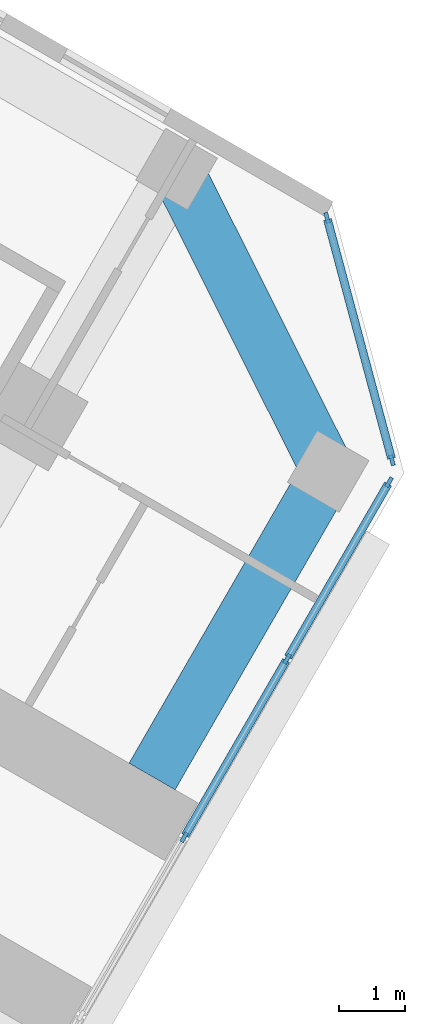
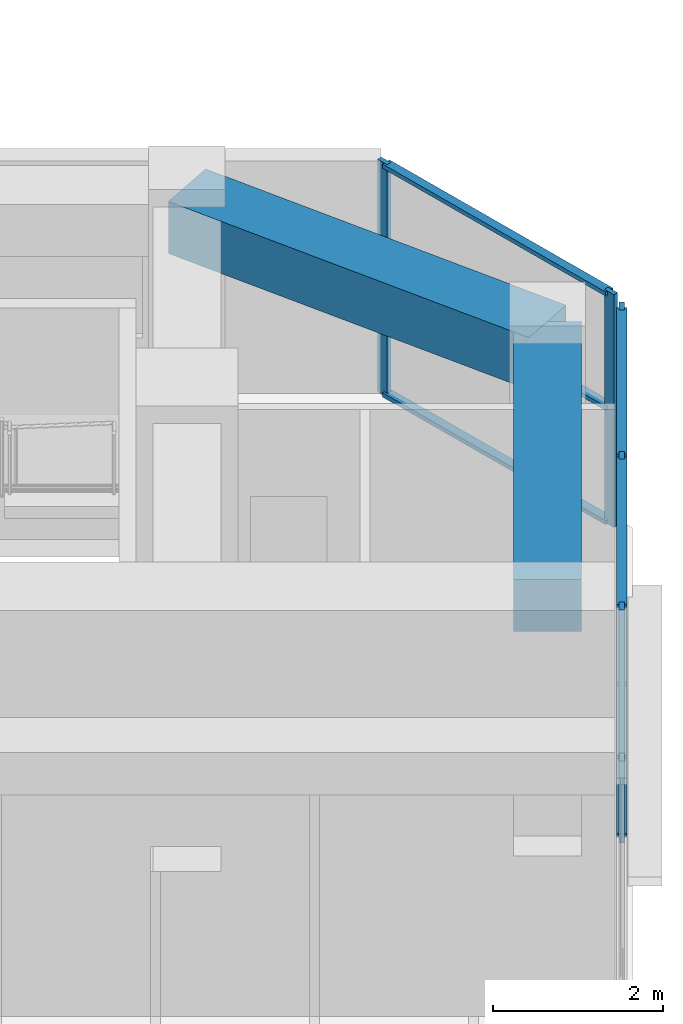
# One storey, part 8 of 22: 12 members, 2 beams, 2 elements without a shape of their own.
"""IFC4 building model written with IfcOpenShell, lengths in metres."""

from ifc_helpers import new_model, si_unit, direction, frame, origin, origin_2d, place, context, subcontext, project, spatial, rectangle, extrude, material, material_profile, profile_set, type_object, element, aggregate, save


model = new_model("IFC4")

# Units and contexts
model_context = context("Model", 3, precision=1e-05, world=origin(), true_north=direction((0.0, 1.0)))
body_context = subcontext(model_context, "Body", "Model", "MODEL_VIEW")
ifc_project = project(units=[si_unit("LENGTHUNIT", "METRE"), si_unit("AREAUNIT", "SQUARE_METRE"), si_unit("VOLUMEUNIT", "CUBIC_METRE"), si_unit("PLANEANGLEUNIT", "RADIAN"), si_unit("MASSUNIT", "GRAM", prefix="KILO")], contexts=[model_context])

# Site, building, storey
site_placement = place(None, origin())
site = spatial("IfcSite", under=ifc_project, at=site_placement, CompositionType="ELEMENT")
building_placement = place(site_placement, origin())
building = spatial("IfcBuilding", under=site, at=building_placement, Name="Kosmar Iwan School Tower", CompositionType="ELEMENT")
storey_placement = place(building_placement, frame((0.0, 0.0, 95.199951171875)))
storey = spatial("IfcBuildingStorey", under=building, at=storey_placement, Name="L23", CompositionType="ELEMENT", Elevation=95.199951171875)

# Curtain wall, members
ifc_material_1 = material(Name="Dark glass in black aluminium frame", Category="aluminium")
curtain_wall_type_1 = type_object("IfcCurtainWallType", Name="Tower curtain wall dark glass", PredefinedType="USERDEFINED", material=ifc_material_1)
curtain_wall_1_placement = place(storey_placement, origin())
curtain_wall_1 = element("IfcCurtainWall", 1, at=curtain_wall_1_placement, inside=storey, type_object=curtain_wall_type_1, Name="Curtain wall L23-F03", ObjectType="UNITISED CURTAIN WALL", PredefinedType="USERDEFINED")
ifc_material_2 = material(Name="Black anodised aluminium", Category="aluminium")
ifc_material_profile_1 = material_profile(ifc_material_2, rectangle(XDim=0.06005859375, YDim=0.159912109375, at=origin_2d()), Name="MULLION 60x160")
ifc_profile_set_1 = profile_set([ifc_material_profile_1], Name="Black anodised aluminium")
member_type_1 = type_object("IfcMemberType", Name="Mullion 60x160", PredefinedType="MULLION", material=ifc_profile_set_1)
member_1_placement = place(storey_placement, frame((30.631103515625, -15.8955078125, 0.0), z_axis=(0.0, 0.0, 1.0), x_axis=(-0.866025405329, 0.499999997325, 0.0)))
member_1 = element("IfcMember", 2, at=member_1_placement, type_object=member_type_1, Name="CW1 mullion 4", PredefinedType="MULLION", context=body_context, shape_type="SweptSolid", body=[
    extrude(rectangle(XDim=0.06005859375, YDim=0.159912109375, at=origin_2d()), origin(), (0.0, 0.0, 1.0), 3.35009765625),
])
member_2_placement = place(storey_placement, frame((32.1806640625, -13.21142578125, 0.0), z_axis=(0.0, 0.0, 1.0), x_axis=(-0.866025405329, 0.499999997325, 0.0)))
member_2 = element("IfcMember", 3, at=member_2_placement, type_object=member_type_1, Name="CW1 mullion 5", PredefinedType="MULLION", context=body_context, shape_type="SweptSolid", body=[
    extrude(rectangle(XDim=0.06005859375, YDim=0.159912109375, at=origin_2d()), origin(), (0.0, 0.0, 1.0), 3.35009765625),
])
member_3_placement = place(storey_placement, frame((33.71533203125, -10.55322265625, 0.0), z_axis=(0.0, 0.0, 1.0), x_axis=(-0.866025405329, 0.499999997325, 0.0)))
member_3 = element("IfcMember", 4, at=member_3_placement, type_object=member_type_1, Name="CW1 mullion 6", PredefinedType="MULLION", context=body_context, shape_type="SweptSolid", body=[
    extrude(rectangle(XDim=0.06005859375, YDim=0.159912109375, at=origin_2d()), origin(), (0.0, 0.0, 1.0), 3.35009765625),
])

ifc_material_3 = material(Name="Dark glass in black aluminium frame", Category="aluminium")
curtain_wall_type_2 = type_object("IfcCurtainWallType", Name="Chamfer curtain wall dark glass", PredefinedType="USERDEFINED", material=ifc_material_3)
curtain_wall_2_placement = place(storey_placement, origin())
curtain_wall_2 = element("IfcCurtainWall", 5, at=curtain_wall_2_placement, inside=storey, type_object=curtain_wall_type_2, Name="Curtain wall L23-F04", ObjectType="FACETED CURTAIN WALL", PredefinedType="USERDEFINED")
member_4_placement = place(storey_placement, frame((33.7587890625, -10.2236328125, 0.0), z_axis=(0.0, 0.0, 1.0), x_axis=(-0.965925875495, -0.258818861462, 0.0)))
member_4 = element("IfcMember", 6, at=member_4_placement, type_object=member_type_1, Name="CW2 mullion 1", PredefinedType="MULLION", context=body_context, shape_type="SweptSolid", body=[
    extrude(rectangle(XDim=0.06005859375, YDim=0.159912109375, at=origin_2d()), origin(), (0.0, 0.0, 1.0), 3.35009765625),
])
member_5_placement = place(storey_placement, frame((32.78076171875, -6.5732421875, 0.0), z_axis=(0.0, 0.0, 1.0), x_axis=(-0.965925875495, -0.258818861462, 0.0)))
member_5 = element("IfcMember", 7, at=member_5_placement, type_object=member_type_1, Name="CW2 mullion 2", PredefinedType="MULLION", context=body_context, shape_type="SweptSolid", body=[
    extrude(rectangle(XDim=0.06005859375, YDim=0.159912109375, at=origin_2d()), origin(), (0.0, 0.0, 1.0), 3.35009765625),
])

# Beams
ifc_material_4 = material(Name="Concrete C50/60", Category="concrete")
ifc_material_profile_2 = material_profile(ifc_material_4, rectangle(XDim=0.800048828125, YDim=0.75, at=origin_2d()), Name="RC 800x750")
ifc_profile_set_2 = profile_set([ifc_material_profile_2], Name="Concrete C50/60")
beam_type = type_object("IfcBeamType", Name="RC tip beam 800x750", PredefinedType="BEAM", material=ifc_profile_set_2)
beam_1_placement = place(storey_placement, frame((30.517822265625, -5.841552734375, 2.97509765625), z_axis=(0.44809604203, -0.893985423325, 0.0), x_axis=(0.893985423325, 0.44809604203, 0.0)))
element("IfcBeam", 8, at=beam_1_placement, inside=storey, type_object=beam_type, Name="Tip beam CL", PredefinedType="BEAM", context=body_context, shape_type="SweptSolid", body=[
    extrude(rectangle(XDim=0.800048828125, YDim=0.75, at=origin_2d()), origin(), (0.0, 0.0, 1.0), 5.08935546875),
])
beam_2_placement = place(storey_placement, frame((32.79833984375, -10.391357421875, 2.97509765625), z_axis=(-0.499973660256, -0.866040610509, 0.0), x_axis=(0.866040610509, -0.499973660256, 0.0)))
element("IfcBeam", 9, at=beam_2_placement, inside=storey, type_object=beam_type, Name="Tip beam CL to corridor wall", PredefinedType="BEAM", context=body_context, shape_type="SweptSolid", body=[
    extrude(rectangle(XDim=0.800048828125, YDim=0.75, at=origin_2d()), origin(), (0.0, 0.0, 1.0), 5.300048828125),
])

# Member
ifc_material_5 = material(Name="Black anodised aluminium", Category="aluminium")
ifc_material_profile_3 = material_profile(ifc_material_5, rectangle(XDim=0.1201171875, YDim=0.06005859375, at=origin_2d()), Name="TRANSOM 60x120")
ifc_profile_set_3 = profile_set([ifc_material_profile_3], Name="Black anodised aluminium")
member_type_2 = type_object("IfcMemberType", Name="Transom 60x120", PredefinedType="USERDEFINED", material=ifc_profile_set_3)
member_6_placement = place(storey_placement, frame((30.64599609375, -15.869384765625, 0.030029296875), z_axis=(0.500035348339, 0.866004994449, 0.0), x_axis=(-0.866004994449, 0.500035348339, 0.0)))
member_6 = element("IfcMember", 10, at=member_6_placement, type_object=member_type_2, Name="CW1 transom 4.1", ObjectType="TRANSOM", PredefinedType="USERDEFINED", context=body_context, shape_type="SweptSolid", body=[
    extrude(rectangle(XDim=0.1201171875, YDim=0.06005859375, at=origin_2d()), origin(), (0.0, 0.0, 1.0), 3.039306640625),
])

member_7_placement = place(storey_placement, frame((30.64599609375, -15.869384765625, 3.320068359375), z_axis=(0.500035348339, 0.866004994449, 0.0), x_axis=(-0.866004994449, 0.500035348339, 0.0)))
member_7 = element("IfcMember", 11, at=member_7_placement, type_object=member_type_2, Name="CW1 transom 4.2", ObjectType="TRANSOM", PredefinedType="USERDEFINED", context=body_context, shape_type="SweptSolid", body=[
    extrude(rectangle(XDim=0.1201171875, YDim=0.06005859375, at=origin_2d()), origin(), (0.0, 0.0, 1.0), 3.039306640625),
])

member_8_placement = place(storey_placement, frame((32.19580078125, -13.185302734375, 0.030029296875), z_axis=(0.500022102064, 0.866012642776, 0.0), x_axis=(-0.866012642776, 0.500022102064, 0.0)))
member_8 = element("IfcMember", 12, at=member_8_placement, type_object=member_type_2, Name="CW1 transom 5.1", ObjectType="TRANSOM", PredefinedType="USERDEFINED", context=body_context, shape_type="SweptSolid", body=[
    extrude(rectangle(XDim=0.1201171875, YDim=0.06005859375, at=origin_2d()), origin(), (0.0, 0.0, 1.0), 3.009033203125),
])

member_9_placement = place(storey_placement, frame((32.19580078125, -13.185302734375, 3.320068359375), z_axis=(0.500022102064, 0.866012642776, 0.0), x_axis=(-0.866012642776, 0.500022102064, 0.0)))
member_9 = element("IfcMember", 13, at=member_9_placement, type_object=member_type_2, Name="CW1 transom 5.2", ObjectType="TRANSOM", PredefinedType="USERDEFINED", context=body_context, shape_type="SweptSolid", body=[
    extrude(rectangle(XDim=0.1201171875, YDim=0.06005859375, at=origin_2d()), origin(), (0.0, 0.0, 1.0), 3.009033203125),
])

aggregate(curtain_wall_1, [member_1, member_2, member_3, member_6, member_7, member_8, member_9])

member_10_placement = place(storey_placement, frame((33.7509765625, -10.194580078125, 0.030029296875), z_axis=(-0.258843273983, 0.965919333854, 0.0), x_axis=(-0.965919333854, -0.258843273983, 0.0)))
member_10 = element("IfcMember", 14, at=member_10_placement, type_object=member_type_2, Name="CW2 transom 1.1", ObjectType="TRANSOM", PredefinedType="USERDEFINED", context=body_context, shape_type="SweptSolid", body=[
    extrude(rectangle(XDim=0.1201171875, YDim=0.06005859375, at=origin_2d()), origin(), (0.0, 0.0, 1.0), 3.718994140625),
])

member_11_placement = place(storey_placement, frame((33.7509765625, -10.194580078125, 1.675048828125), z_axis=(-0.258843273983, 0.965919333854, 0.0), x_axis=(-0.965919333854, -0.258843273983, 0.0)))
member_11 = element("IfcMember", 15, at=member_11_placement, type_object=member_type_2, Name="CW2 transom 1.2", ObjectType="TRANSOM", PredefinedType="USERDEFINED", context=body_context, shape_type="SweptSolid", body=[
    extrude(rectangle(XDim=0.1201171875, YDim=0.06005859375, at=origin_2d()), origin(), (0.0, 0.0, 1.0), 3.718994140625),
])

member_12_placement = place(storey_placement, frame((33.7509765625, -10.194580078125, 3.320068359375), z_axis=(-0.258843273983, 0.965919333854, 0.0), x_axis=(-0.965919333854, -0.258843273983, 0.0)))
member_12 = element("IfcMember", 16, at=member_12_placement, type_object=member_type_2, Name="CW2 transom 1.3", ObjectType="TRANSOM", PredefinedType="USERDEFINED", context=body_context, shape_type="SweptSolid", body=[
    extrude(rectangle(XDim=0.1201171875, YDim=0.06005859375, at=origin_2d()), origin(), (0.0, 0.0, 1.0), 3.718994140625),
])

aggregate(curtain_wall_2, [member_4, member_5, member_10, member_11, member_12])

save(model, "model.ifc")
